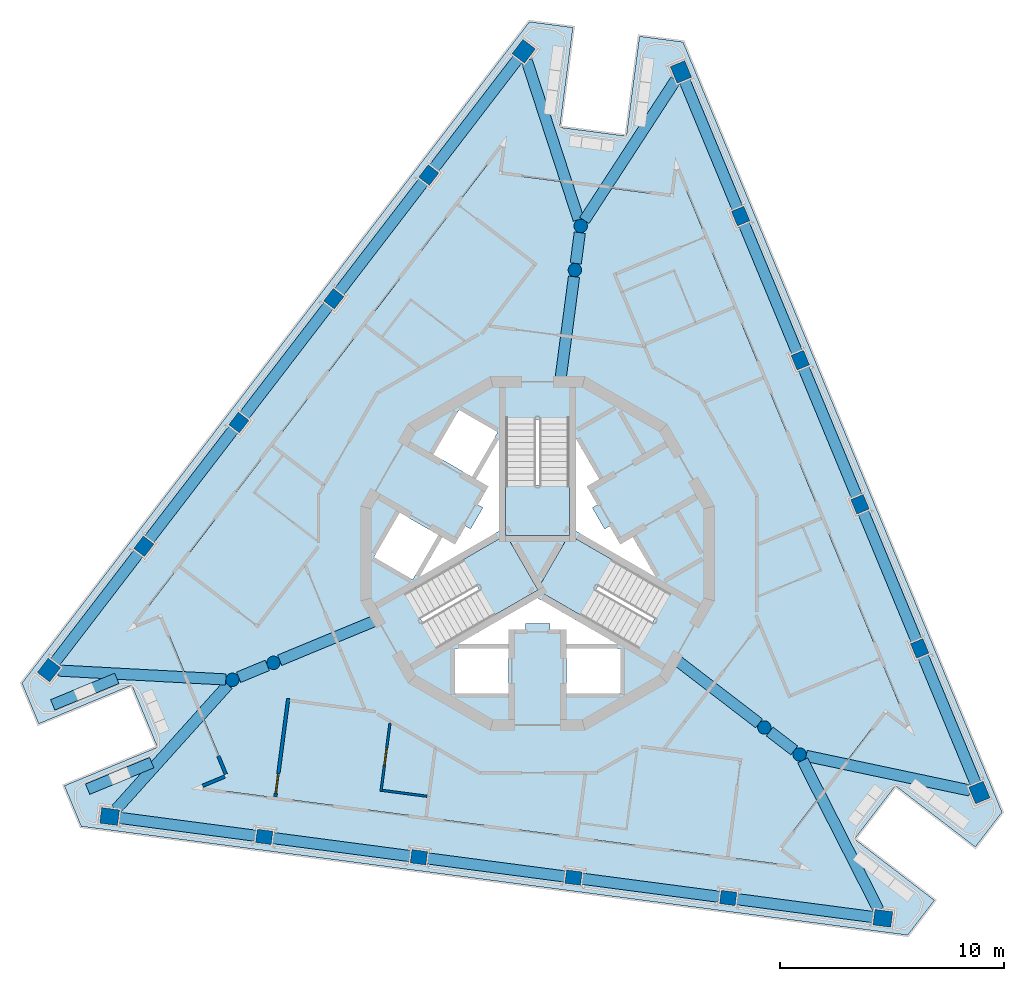
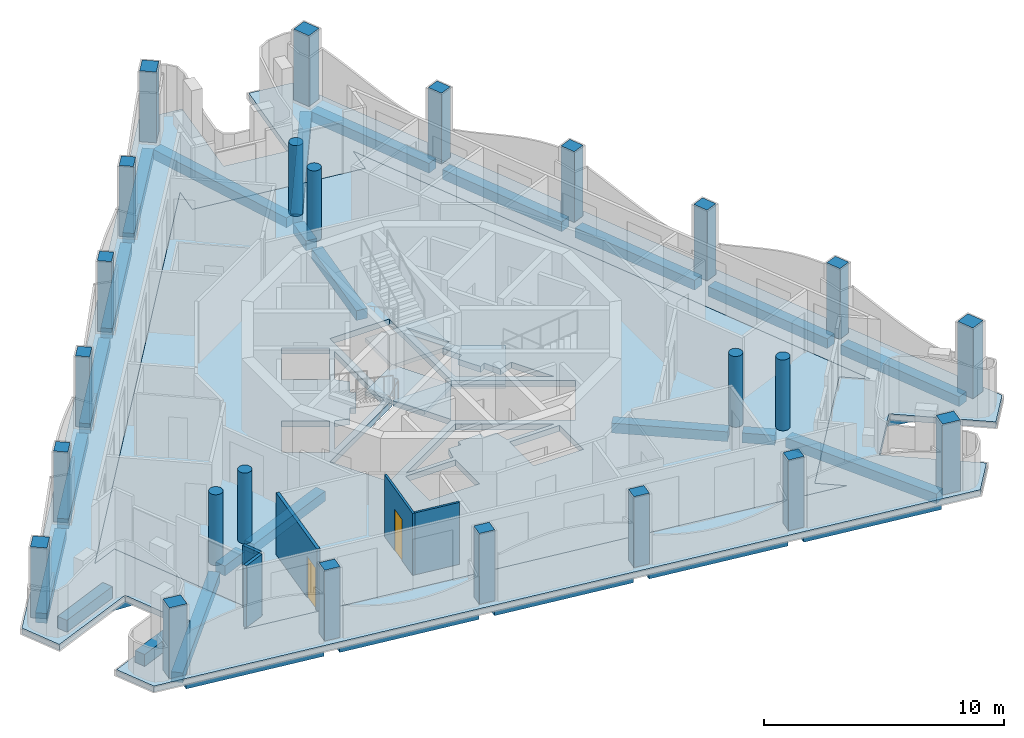
# One storey, part 1 of 12: 27 beams, 24 columns, 7 walls, 6 slabs, 2 doors, 2 openings, 3 elements without a shape of their own.
"""IFC4 building model written with IfcOpenShell, lengths in metres."""

from ifc_helpers import new_model, si_unit, direction, frame, frame_2d, origin, origin_2d, place, context, subcontext, project, spatial, polyline, rectangle, circle, outline, extrude, material, layer, layer_set, material_profile, profile_set, type_object, element, fill, aggregate, save


model = new_model("IFC4")

# Units and contexts
model_context = context("Model", 3, precision=1e-05, world=origin(), true_north=direction((0.0, 1.0)))
body_context = subcontext(model_context, "Body", "Model", "MODEL_VIEW")
ifc_project = project(units=[si_unit("LENGTHUNIT", "METRE"), si_unit("AREAUNIT", "SQUARE_METRE"), si_unit("VOLUMEUNIT", "CUBIC_METRE"), si_unit("PLANEANGLEUNIT", "RADIAN"), si_unit("MASSUNIT", "GRAM", prefix="KILO")], contexts=[model_context])

# Site, building, storey
site_placement = place(None, origin())
site = spatial("IfcSite", under=ifc_project, at=site_placement, CompositionType="ELEMENT")
building_placement = place(site_placement, origin())
building = spatial("IfcBuilding", under=site, at=building_placement, Name="Trine Commons Tower", CompositionType="ELEMENT")
storey_placement = place(building_placement, frame((0.0, 0.0, 297.0)))
storey = spatial("IfcBuildingStorey", under=building, at=storey_placement, Name="L78", CompositionType="ELEMENT", Elevation=297.0)

# Columns
ifc_material_1 = material(Name="Concrete C50/60", Category="concrete")
ifc_material_profile_1 = material_profile(ifc_material_1, rectangle(XDim=0.699951171875, YDim=0.60009765625, at=origin_2d()), Name="RC 700x600")
ifc_profile_set_1 = profile_set([ifc_material_profile_1], Name="Concrete C50/60")
column_type_1 = type_object("IfcColumnType", Name="RC column 700x600, C50/60", PredefinedType="COLUMN", material=ifc_profile_set_1)
for number, where, z_axis, x_axis, name in (
    (1, (88.521728515625, 47.098876953125, 0.0), (0.0, 0.0, 1.0), (-0.991444861374, 0.13052619222, 0.0), "Column PC8-02 L78"),
    (2, (81.608642578125, 48.009033203125, 0.0), (0.0, 0.0, 1.0), (-0.991444861374, 0.13052619222, 0.0), "Column PC8-03 L78"),
    (3, (74.695556640625, 48.919189453125, 0.0), (0.0, 0.0, 1.0), (-0.991444861374, 0.13052619222, 0.0), "Column PC8-04 L78"),
    (4, (67.782470703125, 49.8291015625, 0.0), (0.0, 0.0, 1.0), (-0.991444861374, 0.13052619222, 0.0), "Column PC8-05 L78"),
    (5, (62.4013671875, 62.820556640625, 0.0), (0.0, 0.0, 1.0), (0.608761429009, 0.793353340291, 0.0), "Column PC8-08 L78"),
    (6, (66.64599609375, 68.352294921875, 0.0), (0.0, 0.0, 1.0), (0.608761429009, 0.793353340291, 0.0), "Column PC8-09 L78"),
    (7, (70.890869140625, 73.88427734375, 0.0), (0.0, 0.0, 1.0), (0.608761429009, 0.793353340291, 0.0), "Column PC8-10 L78"),
    (8, (75.135498046875, 79.416015625, 0.0), (0.0, 0.0, 1.0), (0.608761429009, 0.793353340291, 0.0), "Column PC8-11 L78"),
    (9, (89.076904296875, 77.58056640625, 0.0), (0.0, 0.0, 1.0), (-0.382683432365, 0.923879532511, 0.0), "Column PC8-14 L78"),
    (10, (91.745361328125, 71.138671875, 0.0), (0.0, 0.0, 1.0), (-0.382683432365, 0.923879532511, 0.0), "Column PC8-15 L78"),
    (11, (94.41357421875, 64.69677734375, 0.0), (0.0, 0.0, 1.0), (-0.382683432365, 0.923879532511, 0.0), "Column PC8-16 L78"),
    (12, (97.081787109375, 58.254638671875, 0.0), (0.0, 0.0, 1.0), (-0.382683432365, 0.923879532511, 0.0), "Column PC8-17 L78"),
):
    element("IfcColumn", number, at=place(storey_placement, frame(where, z_axis=z_axis, x_axis=x_axis)), inside=storey, type_object=column_type_1, Name=name, PredefinedType="COLUMN", context=body_context, shape_type="SweptSolid", body=[
        extrude(rectangle(XDim=0.699951171875, YDim=0.60009765625, at=origin_2d()), origin(), (0.0, 0.0, 1.0), 3.60009765625),
    ])
ifc_material_profile_2 = material_profile(ifc_material_1, rectangle(XDim=0.800048828125, YDim=0.699951171875, at=origin_2d()), Name="RC 800x700")
ifc_profile_set_2 = profile_set([ifc_material_profile_2], Name="Concrete C50/60")
column_type_2 = type_object("IfcColumnType", Name="RC column 800x700, C50/60", PredefinedType="COLUMN", material=ifc_profile_set_2)
for number, where, z_axis, x_axis, name in (
    (13, (95.434814453125, 46.188720703125, 0.0), (0.0, 0.0, 1.0), (-0.991444861374, 0.13052619222, 0.0), "Column PC8-01 L78"),
    (14, (60.869384765625, 50.7392578125, 0.0), (0.0, 0.0, 1.0), (-0.991444861374, 0.13052619222, 0.0), "Column PC8-06 L78"),
    (15, (58.156494140625, 57.288818359375, 0.0), (0.0, 0.0, 1.0), (0.608761429009, 0.793353340291, 0.0), "Column PC8-07 L78"),
    (16, (79.380126953125, 84.947998046875, 0.0), (0.0, 0.0, 1.0), (0.608761429009, 0.793353340291, 0.0), "Column PC8-12 L78"),
    (17, (86.40869140625, 84.022705078125, 0.0), (0.0, 0.0, 1.0), (-0.382683432365, 0.923879532511, 0.0), "Column PC8-13 L78"),
    (18, (99.750244140625, 51.812744140625, 0.0), (0.0, 0.0, 1.0), (-0.382683432365, 0.923879532511, 0.0), "Column PC8-18 L78"),
):
    element("IfcColumn", number, at=place(storey_placement, frame(where, z_axis=z_axis, x_axis=x_axis)), inside=storey, type_object=column_type_2, Name=name, PredefinedType="COLUMN", context=body_context, shape_type="SweptSolid", body=[
        extrude(rectangle(XDim=0.800048828125, YDim=0.699951171875, at=origin_2d()), origin(), (0.0, 0.0, 1.0), 3.60009765625),
    ])
ifc_material_profile_3 = material_profile(ifc_material_1, circle(Radius=0.300048828125, at=origin_2d()), Name="RC round 600")
ifc_profile_set_3 = profile_set([ifc_material_profile_3], Name="Concrete C50/60")
column_type_3 = type_object("IfcColumnType", Name="RC round column 600 mm, C50/60", PredefinedType="COLUMN", material=ifc_profile_set_3)
for number, where, z_axis, x_axis, name in (
    (19, (90.137451171875, 54.72119140625, 0.0), (0.0, 0.0, 1.0), (1.0, 0.0, 0.0), "Column WC8-1 L78"),
    (20, (91.711669921875, 53.513427734375, 0.0), (0.0, 0.0, 1.0), (1.0, 0.0, 0.0), "Column WC8-2 L78"),
    (21, (81.66796875, 75.168701171875, 0.0), (0.0, 0.0, 1.0), (1.0, 0.0, 0.0), "Column WC8-3 L78"),
    (22, (81.927001953125, 77.135986328125, 0.0), (0.0, 0.0, 1.0), (1.0, 0.0, 0.0), "Column WC8-4 L78"),
    (23, (68.194580078125, 57.610107421875, 0.0), (0.0, 0.0, 1.0), (1.0, 0.0, 0.0), "Column WC8-5 L78"),
    (24, (66.361572265625, 56.850830078125, 0.0), (0.0, 0.0, 1.0), (1.0, 0.0, 0.0), "Column WC8-6 L78"),
):
    element("IfcColumn", number, at=place(storey_placement, frame(where, z_axis=z_axis, x_axis=x_axis)), inside=storey, type_object=column_type_3, Name=name, PredefinedType="COLUMN", context=body_context, shape_type="SweptSolid", body=[
        extrude(circle(Radius=0.300048828125, at=origin_2d()), origin(), (0.0, 0.0, 1.0), 3.60009765625),
    ])

# Beams
ifc_material_2 = material(Name="Concrete C40/50", Category="concrete")
ifc_material_profile_4 = material_profile(ifc_material_2, rectangle(XDim=0.5, YDim=0.5, at=origin_2d()), Name="RC 500x500")
ifc_profile_set_4 = profile_set([ifc_material_profile_4], Name="Concrete C40/50")
beam_type = type_object("IfcBeamType", Name="RC beam 500x500, C40/50", PredefinedType="BEAM", material=ifc_profile_set_4)
beam_1_placement = place(storey_placement, frame((95.0380859375, 46.240966796875, -0.550048828125), z_axis=(-0.991444143506, 0.130531644853, 0.0), x_axis=(-0.130531644853, -0.991444143506, 0.0)))
element("IfcBeam", 25, at=beam_1_placement, inside=storey, type_object=beam_type, Name="Beam EB8-01 L78", PredefinedType="BEAM", context=body_context, shape_type="SweptSolid", body=[
    extrude(rectangle(XDim=0.5, YDim=0.5, at=origin_2d()), origin(), (0.0, 0.0, 1.0), 6.22265625),
])
beam_2_placement = place(storey_placement, frame((88.1748046875, 47.14453125, -0.550048828125), z_axis=(-0.9914427663, 0.130542104902, 0.0), x_axis=(-0.130542104902, -0.9914427663, 0.0)))
element("IfcBeam", 26, at=beam_2_placement, inside=storey, type_object=beam_type, Name="Beam EB8-02 L78", PredefinedType="BEAM", context=body_context, shape_type="SweptSolid", body=[
    extrude(rectangle(XDim=0.5, YDim=0.5, at=origin_2d()), origin(), (0.0, 0.0, 1.0), 6.272705078125),
])
for number, where, z_axis, x_axis, name in (
    (27, (81.26171875, 48.0546875, -0.550048828125), (-0.991448465824, 0.130498810784, 0.0), (-0.130498810784, -0.991448465824, 0.0), "Beam EB8-03 L78"),
    (28, (74.3486328125, 48.96484375, -0.550048828125), (-0.991448465824, 0.130498810784, 0.0), (-0.130498810784, -0.991448465824, 0.0), "Beam EB8-04 L78"),
):
    element("IfcBeam", number, at=place(storey_placement, frame(where, z_axis=z_axis, x_axis=x_axis)), inside=storey, type_object=beam_type, Name=name, PredefinedType="BEAM", context=body_context, shape_type="SweptSolid", body=[
        extrude(rectangle(XDim=0.5, YDim=0.5, at=origin_2d()), origin(), (0.0, 0.0, 1.0), 6.27294921875),
    ])
for number, where, z_axis, x_axis, name in (
    (29, (67.435546875, 49.875, -0.550048828125), (-0.991449220248, 0.130493079009, 0.0), (-0.130493079009, -0.991449220248, 0.0), "Beam EB8-05 L78"),
    (30, (58.400146484375, 57.60595703125, -0.550048828125), (0.60875848978, 0.793355595632, 0.0), (-0.793355595632, 0.60875848978, 0.0), "Beam EB8-06 L78"),
):
    element("IfcBeam", number, at=place(storey_placement, frame(where, z_axis=z_axis, x_axis=x_axis)), inside=storey, type_object=beam_type, Name=name, PredefinedType="BEAM", context=body_context, shape_type="SweptSolid", body=[
        extrude(rectangle(XDim=0.5, YDim=0.5, at=origin_2d()), origin(), (0.0, 0.0, 1.0), 6.22265625),
    ])
for number, where, z_axis, x_axis, name in (
    (31, (62.614501953125, 63.09814453125, -0.550048828125), (0.608756693169, 0.793356974206, 0.0), (-0.793356974206, 0.608756693169, 0.0), "Beam EB8-07 L78"),
    (32, (66.859130859375, 68.630126953125, -0.550048828125), (0.608775490712, 0.793342550169, 0.0), (-0.793342550169, 0.608775490712, 0.0), "Beam EB8-08 L78"),
):
    element("IfcBeam", number, at=place(storey_placement, frame(where, z_axis=z_axis, x_axis=x_axis)), inside=storey, type_object=beam_type, Name=name, PredefinedType="BEAM", context=body_context, shape_type="SweptSolid", body=[
        extrude(rectangle(XDim=0.5, YDim=0.5, at=origin_2d()), origin(), (0.0, 0.0, 1.0), 6.272705078125),
    ])
beam_3_placement = place(storey_placement, frame((71.10400390625, 74.161865234375, -0.550048828125), z_axis=(0.608750992772, 0.793361348188, 0.0), x_axis=(-0.793361348188, 0.608750992772, 0.0)))
element("IfcBeam", 33, at=beam_3_placement, inside=storey, type_object=beam_type, Name="Beam EB8-09 L78", PredefinedType="BEAM", context=body_context, shape_type="SweptSolid", body=[
    extrude(rectangle(XDim=0.5, YDim=0.5, at=origin_2d()), origin(), (0.0, 0.0, 1.0), 6.2724609375),
])
beam_4_placement = place(storey_placement, frame((75.3486328125, 79.693603515625, -0.550048828125), z_axis=(0.60873954155, 0.793370134649, 0.0), x_axis=(-0.793370134649, 0.60873954155, 0.0)))
element("IfcBeam", 34, at=beam_4_placement, inside=storey, type_object=beam_type, Name="Beam EB8-10 L78", PredefinedType="BEAM", context=body_context, shape_type="SweptSolid", body=[
    extrude(rectangle(XDim=0.5, YDim=0.5, at=origin_2d()), origin(), (0.0, 0.0, 1.0), 6.222900390625),
])
beam_5_placement = place(storey_placement, frame((86.561767578125, 83.653076171875, -0.550048828125), z_axis=(0.382686748804, -0.92387815879, 0.0), x_axis=(0.92387815879, 0.382686748804, 0.0)))
element("IfcBeam", 35, at=beam_5_placement, inside=storey, type_object=beam_type, Name="Beam EB8-11 L78", PredefinedType="BEAM", context=body_context, shape_type="SweptSolid", body=[
    extrude(rectangle(XDim=0.5, YDim=0.5, at=origin_2d()), origin(), (0.0, 0.0, 1.0), 6.22265625),
])
beam_6_placement = place(storey_placement, frame((89.210693359375, 77.257080078125, -0.550048828125), z_axis=(0.382724191967, -0.923862648278, 0.0), x_axis=(0.923862648278, 0.382724191967, 0.0)))
element("IfcBeam", 36, at=beam_6_placement, inside=storey, type_object=beam_type, Name="Beam EB8-12 L78", PredefinedType="BEAM", context=body_context, shape_type="SweptSolid", body=[
    extrude(rectangle(XDim=0.5, YDim=0.5, at=origin_2d()), origin(), (0.0, 0.0, 1.0), 6.2724609375),
])
for number, where, z_axis, x_axis, name in (
    (37, (91.879150390625, 70.815185546875, -0.550048828125), (0.38271043005, -0.923868349242, 0.0), (0.923868349242, 0.38271043005, 0.0), "Beam EB8-13 L78"),
    (38, (94.547607421875, 64.373291015625, -0.550048828125), (0.38267720894, -0.923882110314, 0.0), (0.923882110314, 0.38267720894, 0.0), "Beam EB8-14 L78"),
):
    element("IfcBeam", number, at=place(storey_placement, frame(where, z_axis=z_axis, x_axis=x_axis)), inside=storey, type_object=beam_type, Name=name, PredefinedType="BEAM", context=body_context, shape_type="SweptSolid", body=[
        extrude(rectangle(XDim=0.5, YDim=0.5, at=origin_2d()), origin(), (0.0, 0.0, 1.0), 6.272705078125),
    ])
beam_7_placement = place(storey_placement, frame((97.2158203125, 57.931396484375, -0.550048828125), z_axis=(0.382686748804, -0.92387815879, 0.0), x_axis=(0.92387815879, 0.382686748804, 0.0)))
element("IfcBeam", 39, at=beam_7_placement, inside=storey, type_object=beam_type, Name="Beam EB8-15 L78", PredefinedType="BEAM", context=body_context, shape_type="SweptSolid", body=[
    extrude(rectangle(XDim=0.5, YDim=0.5, at=origin_2d()), origin(), (0.0, 0.0, 1.0), 6.22265625),
])
beam_8_placement = place(storey_placement, frame((61.1533203125, 51.054931640625, -0.550048828125), z_axis=(0.668383038107, 0.743817258721, 0.0), x_axis=(-0.743817258721, 0.668383038107, 0.0)))
element("IfcBeam", 40, at=beam_8_placement, inside=storey, type_object=beam_type, Name="Beam CB8-01 L78", PredefinedType="BEAM", context=body_context, shape_type="SweptSolid", body=[
    extrude(rectangle(XDim=0.5, YDim=0.5, at=origin_2d()), origin(), (0.0, 0.0, 1.0), 7.492431640625),
])
beam_9_placement = place(storey_placement, frame((58.580322265625, 57.26611328125, -0.550048828125), z_axis=(0.998578123195, -0.053307896938, 0.0), x_axis=(0.053307896938, 0.998578123195, 0.0)))
element("IfcBeam", 41, at=beam_9_placement, inside=storey, type_object=beam_type, Name="Beam CB8-02 L78", PredefinedType="BEAM", context=body_context, shape_type="SweptSolid", body=[
    extrude(rectangle(XDim=0.5, YDim=0.5, at=origin_2d()), origin(), (0.0, 0.0, 1.0), 7.49267578125),
])
for number, where, z_axis, x_axis, name in (
    (42, (79.51171875, 84.54443359375, -0.550048828125), (0.309945045927, -0.950754473303, 0.0), (0.950754473303, 0.309945045927, 0.0), "Beam CB8-03 L78"),
    (43, (86.177001953125, 83.6669921875, -0.550048828125), (-0.545439536042, -0.838150173013, 0.0), (0.838150173013, -0.545439536042, 0.0), "Beam CB8-04 L78"),
):
    element("IfcBeam", number, at=place(storey_placement, frame(where, z_axis=z_axis, x_axis=x_axis)), inside=storey, type_object=beam_type, Name=name, PredefinedType="BEAM", context=body_context, shape_type="SweptSolid", body=[
        extrude(rectangle(XDim=0.5, YDim=0.5, at=origin_2d()), origin(), (0.0, 0.0, 1.0), 7.492431640625),
    ])
beam_10_placement = place(storey_placement, frame((99.335205078125, 51.900634765625, -0.550048828125), z_axis=(-0.978346023525, 0.206975984727, 0.0), x_axis=(-0.206975984727, -0.978346023525, 0.0)))
element("IfcBeam", 44, at=beam_10_placement, inside=storey, type_object=beam_type, Name="Beam CB8-05 L78", PredefinedType="BEAM", context=body_context, shape_type="SweptSolid", body=[
    extrude(rectangle(XDim=0.5, YDim=0.5, at=origin_2d()), origin(), (0.0, 0.0, 1.0), 7.49267578125),
])
beam_11_placement = place(storey_placement, frame((95.242431640625, 46.56689453125, -0.550048828125), z_axis=(-0.453121168072, 0.891448936869, 0.0), x_axis=(-0.891448936869, -0.453121168072, 0.0)))
element("IfcBeam", 45, at=beam_11_placement, inside=storey, type_object=beam_type, Name="Beam CB8-06 L78", PredefinedType="BEAM", context=body_context, shape_type="SweptSolid", body=[
    extrude(rectangle(XDim=0.5, YDim=0.5, at=origin_2d()), origin(), (0.0, 0.0, 1.0), 7.492431640625),
])
beam_12_placement = place(storey_placement, frame((86.020751953125, 57.880126953125, -0.550048828125), z_axis=(0.793360362614, -0.60875227723, 0.0), x_axis=(0.60875227723, 0.793360362614, 0.0)))
element("IfcBeam", 46, at=beam_12_placement, inside=storey, type_object=beam_type, Name="Beam RB8-01 L78", PredefinedType="BEAM", context=body_context, shape_type="SweptSolid", body=[
    extrude(rectangle(XDim=0.5, YDim=0.5, at=origin_2d()), origin(), (0.0, 0.0, 1.0), 4.88916015625),
])
beam_13_placement = place(storey_placement, frame((90.375244140625, 54.538818359375, -0.550048828125), z_axis=(0.793350909005, -0.60876459751, 0.0), x_axis=(0.60876459751, 0.793350909005, 0.0)))
element("IfcBeam", 47, at=beam_13_placement, inside=storey, type_object=beam_type, Name="Beam RB8-02 L78", PredefinedType="BEAM", context=body_context, shape_type="SweptSolid", body=[
    extrude(rectangle(XDim=0.5, YDim=0.5, at=origin_2d()), origin(), (0.0, 0.0, 1.0), 1.384765625),
])
beam_14_placement = place(storey_placement, frame((80.990478515625, 70.02392578125, -0.550048828125), z_axis=(0.130570757815, 0.991438993183, 0.0), x_axis=(-0.991438993183, 0.130570757815, 0.0)))
element("IfcBeam", 48, at=beam_14_placement, inside=storey, type_object=beam_type, Name="Beam RB8-03 L78", PredefinedType="BEAM", context=body_context, shape_type="SweptSolid", body=[
    extrude(rectangle(XDim=0.5, YDim=0.5, at=origin_2d()), origin(), (0.0, 0.0, 1.0), 4.889404296875),
])
beam_15_placement = place(storey_placement, frame((81.70703125, 75.4658203125, -0.550048828125), z_axis=(0.130454512571, 0.991454295543, 0.0), x_axis=(-0.991454295543, 0.130454512571, 0.0)))
element("IfcBeam", 49, at=beam_15_placement, inside=storey, type_object=beam_type, Name="Beam RB8-04 L78", PredefinedType="BEAM", context=body_context, shape_type="SweptSolid", body=[
    extrude(rectangle(XDim=0.5, YDim=0.5, at=origin_2d()), origin(), (0.0, 0.0, 1.0), 1.384765625),
])
beam_16_placement = place(storey_placement, frame((72.98876953125, 59.595703125, -0.550048828125), z_axis=(-0.923885978684, -0.382667869556, 0.0), x_axis=(0.382667869556, -0.923885978684, 0.0)))
element("IfcBeam", 50, at=beam_16_placement, inside=storey, type_object=beam_type, Name="Beam RB8-05 L78", PredefinedType="BEAM", context=body_context, shape_type="SweptSolid", body=[
    extrude(rectangle(XDim=0.5, YDim=0.5, at=origin_2d()), origin(), (0.0, 0.0, 1.0), 4.888916015625),
])
beam_17_placement = place(storey_placement, frame((67.91748046875, 57.495361328125, -0.550048828125), z_axis=(-0.923857745483, -0.38273602667, 0.0), x_axis=(0.38273602667, -0.923857745483, 0.0)))
element("IfcBeam", 51, at=beam_17_placement, inside=storey, type_object=beam_type, Name="Beam RB8-06 L78", PredefinedType="BEAM", context=body_context, shape_type="SweptSolid", body=[
    extrude(rectangle(XDim=0.5, YDim=0.5, at=origin_2d()), origin(), (0.0, 0.0, 1.0), 1.38427734375),
])

# Slabs
ifc_layer_1 = layer(ifc_material_2, 0.300048828125)
ifc_layer_set_1 = layer_set([ifc_layer_1], Name="Concrete C40/50")
slab_type_1 = type_object("IfcSlabType", Name="Loggia slab 300 mm, C40/50", PredefinedType="FLOOR", material=ifc_layer_set_1)
slab_1_placement = place(storey_placement, frame((0.0, 0.0, -0.300048828125)))
element("IfcSlab", 52, at=slab_1_placement, inside=storey, type_object=slab_type_1, Name="Loggia slab L78", PredefinedType="FLOOR", context=body_context, shape_type="SweptSolid", body=[
    extrude(outline(polyline([(100.763916015625, 50.933837890625), (86.503662109375, 85.36083984375), (84.556396484375, 85.6171875), (83.968994140625, 81.15576171875), (80.99462890625, 81.54736328125), (81.58203125, 86.0087890625), (79.634765625, 86.26513671875), (56.9501953125, 56.701904296875), (57.70166015625, 54.88720703125), (61.859130859375, 56.609375), (63.007080078125, 53.837890625), (58.849853515625, 52.11572265625), (59.601318359375, 50.301025390625), (96.546142578125, 45.437255859375), (97.741943359375, 46.99560546875), (94.171875, 49.73486328125), (95.998046875, 52.114990234375), (99.568115234375, 49.37548828125), (100.763916015625, 50.933837890625)]), holes=[polyline([(63.158203125, 59.7451171875), (66.14306640625, 52.538818359375), (64.900390625, 52.024169921875), (91.873779296875, 48.47314453125), (90.806640625, 49.2919921875), (95.55517578125, 55.47998046875), (96.6220703125, 54.6611328125), (86.210693359375, 79.79638671875), (86.03515625, 78.462890625), (78.302001953125, 79.481201171875), (78.4775390625, 80.814697265625), (61.915283203125, 59.23046875), (63.158203125, 59.7451171875)])]), origin(), (0.0, 0.0, 1.0), 0.300048828125),
])
ifc_layer_2 = layer(ifc_material_2, 0.300048828125)
ifc_layer_set_2 = layer_set([ifc_layer_2], Name="Concrete C40/50")
slab_type_2 = type_object("IfcSlabType", Name="PT flat slab 300 mm, C40/50", PredefinedType="FLOOR", material=ifc_layer_set_2)
slab_2_placement = place(storey_placement, frame((0.0, 0.0, -0.300048828125)))
element("IfcSlab", 53, at=slab_2_placement, inside=storey, type_object=slab_type_2, Name="Floor slab L78", PredefinedType="FLOOR", context=body_context, shape_type="SweptSolid", body=[
    extrude(outline(polyline([(61.915283203125, 59.23046875), (63.158203125, 59.7451171875), (66.14306640625, 52.538818359375), (64.900390625, 52.024169921875), (91.873779296875, 48.47314453125), (90.806640625, 49.2919921875), (95.55517578125, 55.47998046875), (96.6220703125, 54.6611328125), (86.210693359375, 79.79638671875), (86.03515625, 78.462890625), (78.302001953125, 79.481201171875), (78.4775390625, 80.814697265625), (61.915283203125, 59.23046875)]), holes=[polyline([(78.699951171875, 56.25), (78.699951171875, 58.25), (76.300048828125, 58.25), (76.300048828125, 56.25), (78.699951171875, 56.25)]), polyline([(83.699951171875, 56.25), (83.699951171875, 58.25), (81.300048828125, 58.25), (81.300048828125, 56.25), (83.699951171875, 56.25)]), polyline([(81.300048828125, 58.449951171875), (83.56494140625, 58.449951171875), (80.0, 60.508056640625), (76.43505859375, 58.449951171875), (78.699951171875, 58.449951171875), (78.85009765625, 59.10009765625), (79.449951171875, 59.10009765625), (79.449951171875, 59.360107421875), (80.550048828125, 59.360107421875), (80.550048828125, 59.10009765625), (81.14990234375, 59.10009765625), (81.300048828125, 58.449951171875)]), polyline([(81.425048828125, 63.32275390625), (81.425048828125, 68.490478515625), (78.574951171875, 68.490478515625), (78.574951171875, 63.32275390625), (74.099609375, 60.73876953125), (75.5244140625, 58.2705078125), (80.0, 60.8544921875), (84.4755859375, 58.2705078125), (85.900390625, 60.73876953125), (81.425048828125, 63.32275390625)]), polyline([(72.687255859375, 62.333984375), (74.41943359375, 61.333984375), (75.5693359375, 63.325927734375), (73.83740234375, 64.325927734375), (72.687255859375, 62.333984375)]), polyline([(76.381103515625, 63.031005859375), (75.742919921875, 63.22607421875), (74.7099609375, 61.43798828125), (78.27490234375, 63.49609375), (78.27490234375, 67.612060546875), (77.242919921875, 65.823974609375), (77.73095703125, 65.368896484375), (77.3310546875, 64.676025390625), (77.555908203125, 64.5458984375), (77.006103515625, 63.593994140625), (76.781005859375, 63.722900390625), (76.381103515625, 63.031005859375)]), polyline([(82.993896484375, 63.593994140625), (82.444091796875, 64.5458984375), (82.72705078125, 64.7099609375), (82.281005859375, 65.549072265625), (82.757080078125, 65.823974609375), (81.72509765625, 67.612060546875), (81.72509765625, 63.49609375), (85.2900390625, 61.43798828125), (84.257080078125, 63.22607421875), (83.618896484375, 63.031005859375), (83.243896484375, 63.738037109375), (82.993896484375, 63.593994140625)]), polyline([(76.4873046875, 68.916015625), (75.33740234375, 66.924072265625), (77.0693359375, 65.924072265625), (78.219482421875, 67.916015625), (76.4873046875, 68.916015625)])]), origin(), (0.0, 0.0, 1.0), 0.300048828125),
])
slab_3_placement = place(storey_placement, frame((0.0, 0.0, -0.300048828125)))
element("IfcSlab", 54, at=slab_3_placement, inside=storey, type_object=slab_type_2, Name="Floor slab L78 2", PredefinedType="FLOOR", context=body_context, shape_type="SweptSolid", body=[
    extrude(outline(polyline([(81.38671875, 63.300537109375), (78.61328125, 63.300537109375), (80.0, 60.89892578125), (81.38671875, 63.300537109375)])), origin(), (0.0, 0.0, 1.0), 0.300048828125),
])

# Stair, slab
stair_type = type_object("IfcStairType", Name="Exit stair, dog-leg, 24 risers of 150 mm", PredefinedType="HALF_TURN_STAIR", material=ifc_material_1)
stair_1_placement = place(storey_placement, origin())
stair_1 = element("IfcStair", 55, at=stair_1_placement, inside=storey, type_object=stair_type, Name="L78 Exit stair ST1D", PredefinedType="HALF_TURN_STAIR")
ifc_layer_3 = layer(ifc_material_1, 0.199951171875)
ifc_layer_set_3 = layer_set([ifc_layer_3], Name="Concrete C50/60")
slab_type_3 = type_object("IfcSlabType", Name="Stair landing slab 200 mm, C50/60", PredefinedType="LANDING", material=ifc_layer_set_3)
slab_4_placement = place(storey_placement, frame((0.0, 0.0, 1.60009765625)))
slab_4 = element("IfcSlab", 56, at=slab_4_placement, type_object=slab_type_3, Name="ST1D landing 1", PredefinedType="LANDING", context=body_context, shape_type="SweptSolid", body=[
    extrude(outline(polyline([(78.574951171875, 65.570556640625), (78.574951171875, 63.300537109375), (81.425048828125, 63.300537109375), (81.425048828125, 65.570556640625), (78.574951171875, 65.570556640625)])), origin(), (0.0, 0.0, 1.0), 0.199951171875),
])
aggregate(stair_1, [slab_4])

stair_2_placement = place(storey_placement, origin())
stair_2 = element("IfcStair", 57, at=stair_2_placement, inside=storey, type_object=stair_type, Name="L78 Exit stair ST2D", PredefinedType="HALF_TURN_STAIR")
slab_5_placement = place(storey_placement, frame((0.0, 0.0, 1.60009765625)))
slab_5 = element("IfcSlab", 58, at=slab_5_placement, type_object=slab_type_3, Name="ST2D landing 1", PredefinedType="LANDING", context=body_context, shape_type="SweptSolid", body=[
    extrude(outline(polyline([(78.05322265625, 59.730712890625), (80.019287109375, 60.86572265625), (78.59423828125, 63.333740234375), (76.628173828125, 62.19873046875), (78.05322265625, 59.730712890625)])), origin(), (0.0, 0.0, 1.0), 0.199951171875),
])
aggregate(stair_2, [slab_5])

stair_3_placement = place(storey_placement, origin())
stair_3 = element("IfcStair", 59, at=stair_3_placement, inside=storey, type_object=stair_type, Name="L78 Exit stair ST3D", PredefinedType="HALF_TURN_STAIR")
slab_6_placement = place(storey_placement, frame((0.0, 0.0, 1.60009765625)))
slab_6 = element("IfcSlab", 60, at=slab_6_placement, type_object=slab_type_3, Name="ST3D landing 1", PredefinedType="LANDING", context=body_context, shape_type="SweptSolid", body=[
    extrude(outline(polyline([(83.371826171875, 62.19873046875), (81.40576171875, 63.333740234375), (79.980712890625, 60.86572265625), (81.94677734375, 59.730712890625), (83.371826171875, 62.19873046875)])), origin(), (0.0, 0.0, 1.0), 0.199951171875),
])
aggregate(stair_3, [slab_6])

# Walls
ifc_material_3 = material(Name="Aluminium-framed insulated wall panel", Category="aluminium")
ifc_layer_4 = layer(ifc_material_3, 0.14990234375)
ifc_layer_set_4 = layer_set([ifc_layer_4], Name="Aluminium-framed insulated wall panel")
wall_type_1 = type_object("IfcWallType", Name="Glazed frame wall 150, EI 60", PredefinedType="SOLIDWALL", material=ifc_layer_set_4)
wall_1_placement = place(storey_placement, frame((64.886962890625, 52.056396484375, 0.0), z_axis=(0.0, 0.0, 1.0), x_axis=(0.923837625967, 0.382784588048, 0.0)))
element("IfcWall", 61, at=wall_1_placement, inside=storey, type_object=wall_type_1, Name="Glazed frame wall R10", PredefinedType="SOLIDWALL", context=body_context, shape_type="SweptSolid", body=[
    extrude(outline(polyline([(0.1494140625, 0.074951171875), (0.1494140625, -0.074951171875), (1.235107421875, -0.074951171875), (1.235107421875, 0.074951171875), (0.1494140625, 0.074951171875)])), origin(), (0.0, 0.0, 1.0), 3.14990234375),
])
wall_2_placement = place(storey_placement, frame((66.110595703125, 52.525390625, 0.0), z_axis=(0.0, 0.0, 1.0), x_axis=(-0.382517086072, 0.923948417858, 0.0)))
element("IfcWall", 62, at=wall_2_placement, inside=storey, type_object=wall_type_1, Name="Glazed frame wall P3.1", PredefinedType="SOLIDWALL", context=body_context, shape_type="SweptSolid", body=[
    extrude(outline(polyline([(0.110107421875, -0.074951171875), (1.0, -0.074951171875), (1.0, 0.074951171875), (0.110107421875, 0.074951171875), (0.110107421875, -0.074951171875)])), origin(), (0.0, 0.0, 1.0), 3.14990234375),
])
ifc_material_4 = material(Name="Planter trough, precast concrete C40/50", Category="concrete")
ifc_layer_5 = layer(ifc_material_4, 0.5)
ifc_layer_set_5 = layer_set([ifc_layer_5], Name="Planter trough, precast concrete C40/50")
wall_type_2 = type_object("IfcWallType", Name="Planter trough 500x600", PredefinedType="PARAPET", material=ifc_layer_set_5)
for number, where, z_axis, x_axis, name in (
    (63, (59.887939453125, 51.961181640625, 0.0), (0.0, 0.0, 1.0), (0.923883411188, 0.382674068277, 0.0), "Planter 1"),
    (64, (61.190673828125, 56.9169921875, 0.0), (0.0, 0.0, 1.0), (-0.923883411188, -0.382674068277, 0.0), "Planter 3"),
):
    element("IfcWall", number, at=place(storey_placement, frame(where, z_axis=z_axis, x_axis=x_axis)), inside=storey, type_object=wall_type_2, Name=name, PredefinedType="PARAPET", context=body_context, shape_type="SweptSolid", body=[
        extrude(rectangle(XDim=3.099853515625, YDim=0.5, at=frame_2d((1.5498046875, 0.0))), origin(), (0.0, 0.0, 1.0), 0.60009765625),
    ])

# Wall, opening, door
ifc_material_5 = material(Name="Gypsum plasterboard on steel stud", Category="steel")
ifc_layer_6 = layer(ifc_material_5, 0.14990234375)
ifc_layer_set_6 = layer_set([ifc_layer_6], Name="Gypsum plasterboard on steel stud")
wall_type_3 = type_object("IfcWallType", Name="Unit and corridor wall 150 mm, EI 60", PredefinedType="PARTITIONING", material=ifc_layer_set_6)
wall_3_placement = place(storey_placement, frame((68.277099609375, 51.61962890625, 0.0), z_axis=(0.0, 0.0, 1.0), x_axis=(0.13044739357, 0.991455232227, 0.0)))
wall_3 = element("IfcWall", 65, at=wall_3_placement, inside=storey, type_object=wall_type_3, Name="Partition 006", PredefinedType="PARTITIONING", context=body_context, shape_type="SweptSolid", body=[
    extrude(rectangle(XDim=4.435546875, YDim=0.14990234375, at=frame_2d((2.2177734375, 0.0))), origin(), (0.0, 0.0, 1.0), 3.14990234375),
])
opening_1_placement = place(wall_3_placement, frame((0.14990234375, 0.0, 0.0)))
opening_1 = element("IfcOpeningElement", 66, at=opening_1_placement, cuts=wall_3, Name="Opening D-8C13", PredefinedType="OPENING", context=body_context, shape_type="SweptSolid", body=[
    extrude(rectangle(XDim=0.89990234375, YDim=2.10009765625, at=frame_2d((0.449951171875, 1.050048828125))), frame((0.0, 0.0849609375, 0.0), z_axis=(0.0, -1.0, 0.0), x_axis=(1.0, 0.0, 0.0)), (0.0, 0.0, 1.0), 0.169921875),
])
ifc_material_6 = material(Name="Timber fire door set", Category="wood")
door_type_1 = type_object("IfcDoorType", Name="Bedroom door 900 x 2100, FD30S", OperationType="NOTDEFINED", PredefinedType="DOOR", material=ifc_material_6)
door_1_placement = place(opening_1_placement, frame((0.89990234375, 0.0, 0.0), z_axis=(0.0, 0.0, 1.0), x_axis=(-1.0, 0.0, 0.0)))
door_1 = element("IfcDoor", 67, at=door_1_placement, inside=storey, type_object=door_type_1, Name="Door D-8C13", OperationType="SINGLE_SWING_RIGHT", OverallHeight=2.10009765625, OverallWidth=0.89990234375, PredefinedType="DOOR", context=body_context, shape_type="SweptSolid", body=[
    extrude(rectangle(XDim=0.89990234375, YDim=2.10009765625, at=frame_2d((0.449951171875, 1.050048828125))), frame((0.0, 0.02490234375, 0.0), z_axis=(0.0, -1.0, 0.0), x_axis=(1.0, 0.0, 0.0)), (0.0, 0.0, 1.0), 0.050048828125),
])
fill(opening_1, door_1)

ifc_layer_7 = layer(ifc_material_5, 0.10009765625)
ifc_layer_set_7 = layer_set([ifc_layer_7], Name="Gypsum plasterboard on steel stud")
wall_type_4 = type_object("IfcWallType", Name="Unit partition 100 mm, no rating", PredefinedType="PARTITIONING", material=ifc_layer_set_7)
wall_4_placement = place(storey_placement, frame((73.00146484375, 51.865478515625, 0.0), z_axis=(0.0, 0.0, 1.0), x_axis=(0.130542729223, 0.991442684096, 0.0)))
wall_4 = element("IfcWall", 68, at=wall_4_placement, inside=storey, type_object=wall_type_4, Name="Partition 018", PredefinedType="PARTITIONING", context=body_context, shape_type="SweptSolid", body=[
    extrude(rectangle(XDim=3.078369140625, YDim=0.10009765625, at=frame_2d((1.5390625, 0.0))), origin(), (0.0, 0.0, 1.0), 3.14990234375),
])
opening_2_placement = place(wall_4_placement, frame((1.164306640625, 0.0, 0.0)))
opening_2 = element("IfcOpeningElement", 69, at=opening_2_placement, cuts=wall_4, Name="Opening D-8C19", PredefinedType="OPENING", context=body_context, shape_type="SweptSolid", body=[
    extrude(rectangle(XDim=0.800048828125, YDim=2.10009765625, at=frame_2d((0.39990234375, 1.050048828125))), frame((0.0, 0.06005859375, 0.0), z_axis=(0.0, -1.0, 0.0), x_axis=(1.0, 0.0, 0.0)), (0.0, 0.0, 1.0), 0.1201171875),
])
ifc_material_7 = material(Name="Painted timber", Category="wood")
door_type_2 = type_object("IfcDoorType", Name="Internal door 800 x 2100, NOT RATED", OperationType="NOTDEFINED", PredefinedType="DOOR", material=ifc_material_7)
door_2_placement = place(opening_2_placement, origin())
door_2 = element("IfcDoor", 70, at=door_2_placement, inside=storey, type_object=door_type_2, Name="Door D-8C19", OperationType="SINGLE_SWING_RIGHT", OverallHeight=2.10009765625, OverallWidth=0.800048828125, PredefinedType="DOOR", context=body_context, shape_type="SweptSolid", body=[
    extrude(rectangle(XDim=0.800048828125, YDim=2.10009765625, at=frame_2d((0.39990234375, 1.050048828125))), frame((0.0, 0.02490234375, 0.0), z_axis=(0.0, -1.0, 0.0), x_axis=(1.0, 0.0, 0.0)), (0.0, 0.0, 1.0), 0.050048828125),
])
fill(opening_2, door_2)

# Wall
wall_5_placement = place(storey_placement, frame((73.0576171875, 51.908447265625, 0.0), z_axis=(0.0, 0.0, 1.0), x_axis=(0.991480956984, -0.130251725282, 0.0)))
element("IfcWall", 71, at=wall_5_placement, inside=storey, type_object=wall_type_4, Name="Partition 019", PredefinedType="PARTITIONING", context=body_context, shape_type="SweptSolid", body=[
    extrude(rectangle(XDim=2.0244140625, YDim=0.10009765625, at=frame_2d((1.01220703125, 0.0))), origin(), (0.0, 0.0, 1.0), 3.14990234375),
])

save(model, "model.ifc")
